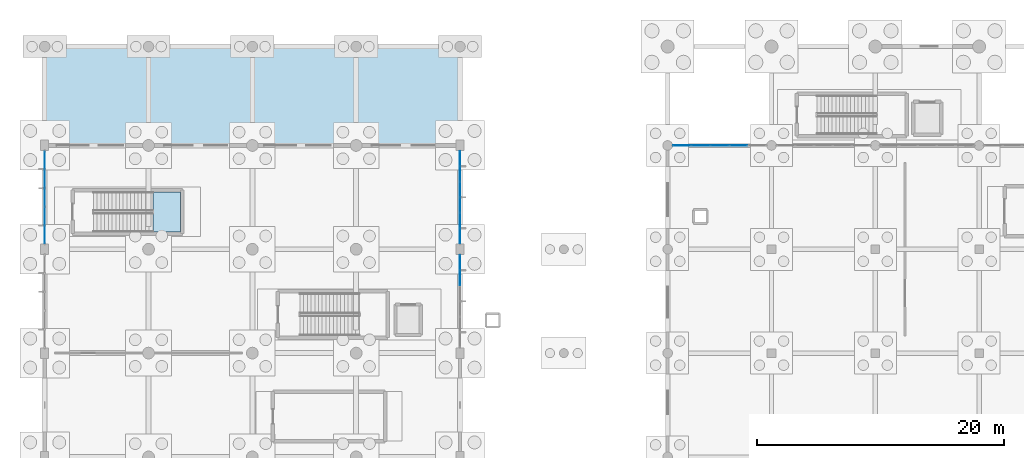
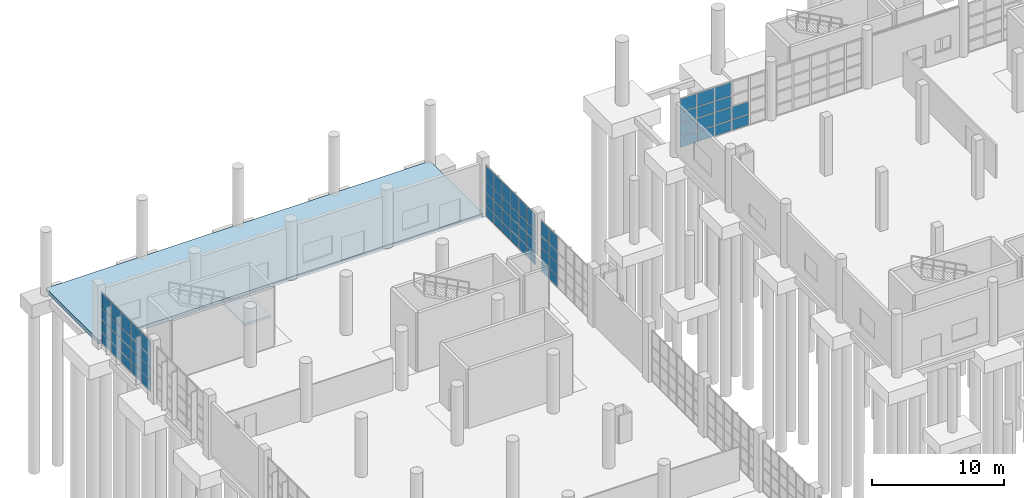
# One storey, part 43 of 83: 66 plates, 2 slabs, 5 elements without a shape of their own.
"""IFC4 building model written with IfcOpenShell, lengths in metres."""

from ifc_helpers import new_model, si_unit, direction, frame, origin, origin_2d, place, context, subcontext, project, spatial, polyline, rectangle, outline, extrude, material, layer, layer_set, type_object, element, aggregate, save


model = new_model("IFC4")

# Units and contexts
model_context = context("Model", 3, precision=1e-05, world=origin(), true_north=direction((0.0, 1.0)))
body_context = subcontext(model_context, "Body", "Model", "MODEL_VIEW")
ifc_project = project(units=[si_unit("LENGTHUNIT", "METRE"), si_unit("AREAUNIT", "SQUARE_METRE"), si_unit("VOLUMEUNIT", "CUBIC_METRE"), si_unit("PLANEANGLEUNIT", "RADIAN"), si_unit("MASSUNIT", "GRAM", prefix="KILO"), si_unit("THERMODYNAMICTEMPERATUREUNIT", "KELVIN"), si_unit("POWERUNIT", "WATT")], contexts=[model_context])

# Site, building, storey
site_placement = place(None, origin())
site = spatial("IfcSite", under=ifc_project, at=site_placement, CompositionType="ELEMENT")
building_placement = place(site_placement, origin())
building = spatial("IfcBuilding", under=site, at=building_placement, Name="Mavoryth Pier Ferry Terminal", CompositionType="ELEMENT")
storey_placement = place(building_placement, origin())
storey = spatial("IfcBuildingStorey", under=building, at=storey_placement, Name="L00", CompositionType="ELEMENT", Elevation=0.0)

# Curtain wall, plates
ifc_material_1 = material(Name="Anodised Aluminium and Solar-Control Low-E Glass", Category="aluminium")
ifc_layer_1 = layer(ifc_material_1, 0.199951171875, Name="Anodised Aluminium and Solar-Control Low-E Glass", Category="aluminium")
ifc_layer_set_1 = layer_set([ifc_layer_1], Name="Anodised Aluminium and Solar-Control Low-E Glass - CW-Concourse-Mod1200")
curtain_wall_type_1 = type_object("IfcCurtainWallType", Name="CW-Concourse-Mod1200", PredefinedType="USERDEFINED", material=ifc_layer_set_1)
curtain_wall_1_placement = place(storey_placement, origin())
curtain_wall_1 = element("IfcCurtainWall", 1, at=curtain_wall_1_placement, inside=storey, type_object=curtain_wall_type_1, Name="Curtain Wall CW-0022-026", ObjectType="UNITISED CURTAIN WALL", PredefinedType="USERDEFINED")
ifc_material_2 = material(Name="Solar-Control Low-E Laminated Double Glazing", Category="glass")
ifc_layer_2 = layer(ifc_material_2, 0.02392578125, Name="Solar-Control Low-E Laminated Double Glazing", Category="glass")
ifc_layer_set_2 = layer_set([ifc_layer_2], Name="Solar-Control Low-E Laminated Double Glazing - Panel-LowE-DGU-24")
plate_type = type_object("IfcPlateType", Name="Panel-LowE-DGU-24", PredefinedType="CURTAIN_PANEL", material=ifc_layer_set_2)
plate_1_placement = place(storey_placement, frame((33.60009765625, 95.28759765625, 0.06005859375), z_axis=(0.0, 0.0, 1.0), x_axis=(0.0, 1.0, 0.0)))
plate_1 = element("IfcPlate", 2, at=plate_1_placement, type_object=plate_type, Name="CW02 panel 5.1", PredefinedType="CURTAIN_PANEL", context=body_context, shape_type="SweptSolid", body=[
    extrude(rectangle(XDim=1.1982421875, YDim=0.02392578125, at=origin_2d()), origin(), (0.0, 0.0, 1.0), 0.9599609375),
])
plate_2_placement = place(storey_placement, frame((33.60009765625, 95.28759765625, 1.080078125), z_axis=(0.0, 0.0, 1.0), x_axis=(0.0, 1.0, 0.0)))
plate_2 = element("IfcPlate", 3, at=plate_2_placement, type_object=plate_type, Name="CW02 panel 5.2", PredefinedType="CURTAIN_PANEL", context=body_context, shape_type="SweptSolid", body=[
    extrude(rectangle(XDim=1.1982421875, YDim=0.02392578125, at=origin_2d()), origin(), (0.0, 0.0, 1.0), 1.139892578125),
])
plate_3_placement = place(storey_placement, frame((33.60009765625, 95.28759765625, 2.27978515625), z_axis=(0.0, 0.0, 1.0), x_axis=(0.0, 1.0, 0.0)))
plate_3 = element("IfcPlate", 4, at=plate_3_placement, type_object=plate_type, Name="CW02 panel 5.3", PredefinedType="CURTAIN_PANEL", context=body_context, shape_type="SweptSolid", body=[
    extrude(rectangle(XDim=1.1982421875, YDim=0.02392578125, at=origin_2d()), origin(), (0.0, 0.0, 1.0), 0.989990234375),
])
plate_4_placement = place(storey_placement, frame((33.60009765625, 95.28759765625, 3.330078125), z_axis=(0.0, 0.0, 1.0), x_axis=(0.0, 1.0, 0.0)))
plate_4 = element("IfcPlate", 5, at=plate_4_placement, type_object=plate_type, Name="CW02 panel 5.4", PredefinedType="CURTAIN_PANEL", context=body_context, shape_type="SweptSolid", body=[
    extrude(rectangle(XDim=1.1982421875, YDim=0.02392578125, at=origin_2d()), origin(), (0.0, 0.0, 1.0), 1.405029296875),
])
plate_5_placement = place(storey_placement, frame((33.60009765625, 96.53076171875, 0.06005859375), z_axis=(0.0, 0.0, 1.0), x_axis=(0.0, 1.0, 0.0)))
plate_5 = element("IfcPlate", 6, at=plate_5_placement, type_object=plate_type, Name="CW02 panel 6.1", PredefinedType="CURTAIN_PANEL", context=body_context, shape_type="SweptSolid", body=[
    extrude(rectangle(XDim=1.168212890625, YDim=0.02392578125, at=origin_2d()), origin(), (0.0, 0.0, 1.0), 0.9599609375),
])
plate_6_placement = place(storey_placement, frame((33.60009765625, 96.53076171875, 1.080078125), z_axis=(0.0, 0.0, 1.0), x_axis=(0.0, 1.0, 0.0)))
plate_6 = element("IfcPlate", 7, at=plate_6_placement, type_object=plate_type, Name="CW02 panel 6.2", PredefinedType="CURTAIN_PANEL", context=body_context, shape_type="SweptSolid", body=[
    extrude(rectangle(XDim=1.168212890625, YDim=0.02392578125, at=origin_2d()), origin(), (0.0, 0.0, 1.0), 1.139892578125),
])
plate_7_placement = place(storey_placement, frame((33.60009765625, 96.53076171875, 2.27978515625), z_axis=(0.0, 0.0, 1.0), x_axis=(0.0, 1.0, 0.0)))
plate_7 = element("IfcPlate", 8, at=plate_7_placement, type_object=plate_type, Name="CW02 panel 6.3", PredefinedType="CURTAIN_PANEL", context=body_context, shape_type="SweptSolid", body=[
    extrude(rectangle(XDim=1.168212890625, YDim=0.02392578125, at=origin_2d()), origin(), (0.0, 0.0, 1.0), 0.989990234375),
])
plate_8_placement = place(storey_placement, frame((33.60009765625, 96.53076171875, 3.330078125), z_axis=(0.0, 0.0, 1.0), x_axis=(0.0, 1.0, 0.0)))
plate_8 = element("IfcPlate", 9, at=plate_8_placement, type_object=plate_type, Name="CW02 panel 6.4", PredefinedType="CURTAIN_PANEL", context=body_context, shape_type="SweptSolid", body=[
    extrude(rectangle(XDim=1.168212890625, YDim=0.02392578125, at=origin_2d()), origin(), (0.0, 0.0, 1.0), 1.405029296875),
])
aggregate(curtain_wall_1, [plate_1, plate_2, plate_3, plate_4, plate_5, plate_6, plate_7, plate_8])

ifc_layer_3 = layer(ifc_material_1, 0.179931640625, Name="Anodised Aluminium and Solar-Control Low-E Glass", Category="aluminium")
ifc_layer_set_3 = layer_set([ifc_layer_3], Name="Anodised Aluminium and Solar-Control Low-E Glass - CW-Concourse-Mod1400")
curtain_wall_type_2 = type_object("IfcCurtainWallType", Name="CW-Concourse-Mod1400", PredefinedType="USERDEFINED", material=ifc_layer_set_3)
curtain_wall_2_placement = place(storey_placement, origin())
curtain_wall_2 = element("IfcCurtainWall", 10, at=curtain_wall_2_placement, inside=storey, type_object=curtain_wall_type_2, Name="Curtain Wall CW-0033-030", ObjectType="UNITISED CURTAIN WALL", PredefinedType="USERDEFINED")
plate_9_placement = place(storey_placement, frame((0.0, 104.8037109375, 0.06494140625), z_axis=(0.0, 0.0, 1.0), x_axis=(0.0, -1.0, 0.0)))
plate_9 = element("IfcPlate", 11, at=plate_9_placement, type_object=plate_type, Name="CW01 panel 1.1", PredefinedType="CURTAIN_PANEL", context=body_context, shape_type="SweptSolid", body=[
    extrude(rectangle(XDim=1.41259765625, YDim=0.02392578125, at=origin_2d()), origin(), (0.0, 0.0, 1.0), 0.952392578125),
])
plate_10_placement = place(storey_placement, frame((0.0, 104.8037109375, 1.08251953125), z_axis=(0.0, 0.0, 1.0), x_axis=(0.0, -1.0, 0.0)))
plate_10 = element("IfcPlate", 12, at=plate_10_placement, type_object=plate_type, Name="CW01 panel 1.2", PredefinedType="CURTAIN_PANEL", context=body_context, shape_type="SweptSolid", body=[
    extrude(rectangle(XDim=1.41259765625, YDim=0.02392578125, at=origin_2d()), origin(), (0.0, 0.0, 1.0), 1.135009765625),
])
plate_11_placement = place(storey_placement, frame((0.0, 104.8037109375, 2.2822265625), z_axis=(0.0, 0.0, 1.0), x_axis=(0.0, -1.0, 0.0)))
plate_11 = element("IfcPlate", 13, at=plate_11_placement, type_object=plate_type, Name="CW01 panel 1.3", PredefinedType="CURTAIN_PANEL", context=body_context, shape_type="SweptSolid", body=[
    extrude(rectangle(XDim=1.41259765625, YDim=0.02392578125, at=origin_2d()), origin(), (0.0, 0.0, 1.0), 0.985107421875),
])
plate_12_placement = place(storey_placement, frame((0.0, 104.8037109375, 3.33251953125), z_axis=(0.0, 0.0, 1.0), x_axis=(0.0, -1.0, 0.0)))
plate_12 = element("IfcPlate", 14, at=plate_12_placement, type_object=plate_type, Name="CW01 panel 1.4", PredefinedType="CURTAIN_PANEL", context=body_context, shape_type="SweptSolid", body=[
    extrude(rectangle(XDim=1.41259765625, YDim=0.02392578125, at=origin_2d()), origin(), (0.0, 0.0, 1.0), 1.3974609375),
])
plate_13_placement = place(storey_placement, frame((0.0, 103.31005859375, 0.06494140625), z_axis=(0.0, 0.0, 1.0), x_axis=(0.0, -1.0, 0.0)))
plate_13 = element("IfcPlate", 15, at=plate_13_placement, type_object=plate_type, Name="CW01 panel 2.1", PredefinedType="CURTAIN_PANEL", context=body_context, shape_type="SweptSolid", body=[
    extrude(rectangle(XDim=1.445068359375, YDim=0.02392578125, at=origin_2d()), origin(), (0.0, 0.0, 1.0), 0.952392578125),
])
plate_14_placement = place(storey_placement, frame((0.0, 103.31005859375, 1.08251953125), z_axis=(0.0, 0.0, 1.0), x_axis=(0.0, -1.0, 0.0)))
plate_14 = element("IfcPlate", 16, at=plate_14_placement, type_object=plate_type, Name="CW01 panel 2.2", PredefinedType="CURTAIN_PANEL", context=body_context, shape_type="SweptSolid", body=[
    extrude(rectangle(XDim=1.445068359375, YDim=0.02392578125, at=origin_2d()), origin(), (0.0, 0.0, 1.0), 1.135009765625),
])
plate_15_placement = place(storey_placement, frame((0.0, 103.31005859375, 2.2822265625), z_axis=(0.0, 0.0, 1.0), x_axis=(0.0, -1.0, 0.0)))
plate_15 = element("IfcPlate", 17, at=plate_15_placement, type_object=plate_type, Name="CW01 panel 2.3", PredefinedType="CURTAIN_PANEL", context=body_context, shape_type="SweptSolid", body=[
    extrude(rectangle(XDim=1.445068359375, YDim=0.02392578125, at=origin_2d()), origin(), (0.0, 0.0, 1.0), 0.985107421875),
])
plate_16_placement = place(storey_placement, frame((0.0, 103.31005859375, 3.33251953125), z_axis=(0.0, 0.0, 1.0), x_axis=(0.0, -1.0, 0.0)))
plate_16 = element("IfcPlate", 18, at=plate_16_placement, type_object=plate_type, Name="CW01 panel 2.4", PredefinedType="CURTAIN_PANEL", context=body_context, shape_type="SweptSolid", body=[
    extrude(rectangle(XDim=1.445068359375, YDim=0.02392578125, at=origin_2d()), origin(), (0.0, 0.0, 1.0), 1.3974609375),
])
plate_17_placement = place(storey_placement, frame((0.0, 101.800048828125, 0.06494140625), z_axis=(0.0, 0.0, 1.0), x_axis=(0.0, -1.0, 0.0)))
plate_17 = element("IfcPlate", 19, at=plate_17_placement, type_object=plate_type, Name="CW01 panel 3.1", PredefinedType="CURTAIN_PANEL", context=body_context, shape_type="SweptSolid", body=[
    extrude(rectangle(XDim=1.445068359375, YDim=0.02392578125, at=origin_2d()), origin(), (0.0, 0.0, 1.0), 0.952392578125),
])
plate_18_placement = place(storey_placement, frame((0.0, 101.800048828125, 1.08251953125), z_axis=(0.0, 0.0, 1.0), x_axis=(0.0, -1.0, 0.0)))
plate_18 = element("IfcPlate", 20, at=plate_18_placement, type_object=plate_type, Name="CW01 panel 3.2", PredefinedType="CURTAIN_PANEL", context=body_context, shape_type="SweptSolid", body=[
    extrude(rectangle(XDim=1.445068359375, YDim=0.02392578125, at=origin_2d()), origin(), (0.0, 0.0, 1.0), 1.135009765625),
])
plate_19_placement = place(storey_placement, frame((0.0, 101.800048828125, 2.2822265625), z_axis=(0.0, 0.0, 1.0), x_axis=(0.0, -1.0, 0.0)))
plate_19 = element("IfcPlate", 21, at=plate_19_placement, type_object=plate_type, Name="CW01 panel 3.3", PredefinedType="CURTAIN_PANEL", context=body_context, shape_type="SweptSolid", body=[
    extrude(rectangle(XDim=1.445068359375, YDim=0.02392578125, at=origin_2d()), origin(), (0.0, 0.0, 1.0), 0.985107421875),
])
plate_20_placement = place(storey_placement, frame((0.0, 101.800048828125, 3.33251953125), z_axis=(0.0, 0.0, 1.0), x_axis=(0.0, -1.0, 0.0)))
plate_20 = element("IfcPlate", 22, at=plate_20_placement, type_object=plate_type, Name="CW01 panel 3.4", PredefinedType="CURTAIN_PANEL", context=body_context, shape_type="SweptSolid", body=[
    extrude(rectangle(XDim=1.445068359375, YDim=0.02392578125, at=origin_2d()), origin(), (0.0, 0.0, 1.0), 1.3974609375),
])
plate_21_placement = place(storey_placement, frame((0.0, 100.2900390625, 0.06494140625), z_axis=(0.0, 0.0, 1.0), x_axis=(0.0, -1.0, 0.0)))
plate_21 = element("IfcPlate", 23, at=plate_21_placement, type_object=plate_type, Name="CW01 panel 4.1", PredefinedType="CURTAIN_PANEL", context=body_context, shape_type="SweptSolid", body=[
    extrude(rectangle(XDim=1.445068359375, YDim=0.02392578125, at=origin_2d()), origin(), (0.0, 0.0, 1.0), 0.952392578125),
])
plate_22_placement = place(storey_placement, frame((0.0, 100.2900390625, 1.08251953125), z_axis=(0.0, 0.0, 1.0), x_axis=(0.0, -1.0, 0.0)))
plate_22 = element("IfcPlate", 24, at=plate_22_placement, type_object=plate_type, Name="CW01 panel 4.2", PredefinedType="CURTAIN_PANEL", context=body_context, shape_type="SweptSolid", body=[
    extrude(rectangle(XDim=1.445068359375, YDim=0.02392578125, at=origin_2d()), origin(), (0.0, 0.0, 1.0), 1.135009765625),
])
plate_23_placement = place(storey_placement, frame((0.0, 100.2900390625, 2.2822265625), z_axis=(0.0, 0.0, 1.0), x_axis=(0.0, -1.0, 0.0)))
plate_23 = element("IfcPlate", 25, at=plate_23_placement, type_object=plate_type, Name="CW01 panel 4.3", PredefinedType="CURTAIN_PANEL", context=body_context, shape_type="SweptSolid", body=[
    extrude(rectangle(XDim=1.445068359375, YDim=0.02392578125, at=origin_2d()), origin(), (0.0, 0.0, 1.0), 0.985107421875),
])
plate_24_placement = place(storey_placement, frame((0.0, 100.2900390625, 3.33251953125), z_axis=(0.0, 0.0, 1.0), x_axis=(0.0, -1.0, 0.0)))
plate_24 = element("IfcPlate", 26, at=plate_24_placement, type_object=plate_type, Name="CW01 panel 4.4", PredefinedType="CURTAIN_PANEL", context=body_context, shape_type="SweptSolid", body=[
    extrude(rectangle(XDim=1.445068359375, YDim=0.02392578125, at=origin_2d()), origin(), (0.0, 0.0, 1.0), 1.3974609375),
])
plate_25_placement = place(storey_placement, frame((0.0, 98.796142578125, 0.06494140625), z_axis=(0.0, 0.0, 1.0), x_axis=(0.0, -1.0, 0.0)))
plate_25 = element("IfcPlate", 27, at=plate_25_placement, type_object=plate_type, Name="CW01 panel 5.1", PredefinedType="CURTAIN_PANEL", context=body_context, shape_type="SweptSolid", body=[
    extrude(rectangle(XDim=1.41259765625, YDim=0.02392578125, at=origin_2d()), origin(), (0.0, 0.0, 1.0), 0.952392578125),
])
plate_26_placement = place(storey_placement, frame((0.0, 98.796142578125, 1.08251953125), z_axis=(0.0, 0.0, 1.0), x_axis=(0.0, -1.0, 0.0)))
plate_26 = element("IfcPlate", 28, at=plate_26_placement, type_object=plate_type, Name="CW01 panel 5.2", PredefinedType="CURTAIN_PANEL", context=body_context, shape_type="SweptSolid", body=[
    extrude(rectangle(XDim=1.41259765625, YDim=0.02392578125, at=origin_2d()), origin(), (0.0, 0.0, 1.0), 1.135009765625),
])
plate_27_placement = place(storey_placement, frame((0.0, 98.796142578125, 2.2822265625), z_axis=(0.0, 0.0, 1.0), x_axis=(0.0, -1.0, 0.0)))
plate_27 = element("IfcPlate", 29, at=plate_27_placement, type_object=plate_type, Name="CW01 panel 5.3", PredefinedType="CURTAIN_PANEL", context=body_context, shape_type="SweptSolid", body=[
    extrude(rectangle(XDim=1.41259765625, YDim=0.02392578125, at=origin_2d()), origin(), (0.0, 0.0, 1.0), 0.985107421875),
])
plate_28_placement = place(storey_placement, frame((0.0, 98.796142578125, 3.33251953125), z_axis=(0.0, 0.0, 1.0), x_axis=(0.0, -1.0, 0.0)))
plate_28 = element("IfcPlate", 30, at=plate_28_placement, type_object=plate_type, Name="CW01 panel 5.4", PredefinedType="CURTAIN_PANEL", context=body_context, shape_type="SweptSolid", body=[
    extrude(rectangle(XDim=1.41259765625, YDim=0.02392578125, at=origin_2d()), origin(), (0.0, 0.0, 1.0), 1.3974609375),
])
aggregate(curtain_wall_2, [plate_9, plate_10, plate_11, plate_12, plate_13, plate_14, plate_15, plate_16, plate_17, plate_18, plate_19, plate_20, plate_21, plate_22, plate_23, plate_24, plate_25, plate_26, plate_27, plate_28])

curtain_wall_3_placement = place(storey_placement, origin())
curtain_wall_3 = element("IfcCurtainWall", 31, at=curtain_wall_3_placement, inside=storey, type_object=curtain_wall_type_1, Name="Curtain Wall CW-0022-031", ObjectType="UNITISED CURTAIN WALL", PredefinedType="USERDEFINED")
plate_29_placement = place(storey_placement, frame((33.60009765625, 98.669189453125, 0.06005859375), z_axis=(0.0, 0.0, 1.0), x_axis=(0.0, 1.0, 0.0)))
plate_29 = element("IfcPlate", 32, at=plate_29_placement, type_object=plate_type, Name="CW02 panel 1.1", PredefinedType="CURTAIN_PANEL", context=body_context, shape_type="SweptSolid", body=[
    extrude(rectangle(XDim=1.168212890625, YDim=0.02392578125, at=origin_2d()), origin(), (0.0, 0.0, 1.0), 0.9599609375),
])
plate_30_placement = place(storey_placement, frame((33.60009765625, 98.669189453125, 1.080078125), z_axis=(0.0, 0.0, 1.0), x_axis=(0.0, 1.0, 0.0)))
plate_30 = element("IfcPlate", 33, at=plate_30_placement, type_object=plate_type, Name="CW02 panel 1.2", PredefinedType="CURTAIN_PANEL", context=body_context, shape_type="SweptSolid", body=[
    extrude(rectangle(XDim=1.168212890625, YDim=0.02392578125, at=origin_2d()), origin(), (0.0, 0.0, 1.0), 1.139892578125),
])
plate_31_placement = place(storey_placement, frame((33.60009765625, 98.669189453125, 2.27978515625), z_axis=(0.0, 0.0, 1.0), x_axis=(0.0, 1.0, 0.0)))
plate_31 = element("IfcPlate", 34, at=plate_31_placement, type_object=plate_type, Name="CW02 panel 1.3", PredefinedType="CURTAIN_PANEL", context=body_context, shape_type="SweptSolid", body=[
    extrude(rectangle(XDim=1.168212890625, YDim=0.02392578125, at=origin_2d()), origin(), (0.0, 0.0, 1.0), 0.989990234375),
])
plate_32_placement = place(storey_placement, frame((33.60009765625, 98.669189453125, 3.330078125), z_axis=(0.0, 0.0, 1.0), x_axis=(0.0, 1.0, 0.0)))
plate_32 = element("IfcPlate", 35, at=plate_32_placement, type_object=plate_type, Name="CW02 panel 1.4", PredefinedType="CURTAIN_PANEL", context=body_context, shape_type="SweptSolid", body=[
    extrude(rectangle(XDim=1.168212890625, YDim=0.02392578125, at=origin_2d()), origin(), (0.0, 0.0, 1.0), 1.405029296875),
])
plate_33_placement = place(storey_placement, frame((33.60009765625, 99.91259765625, 0.06005859375), z_axis=(0.0, 0.0, 1.0), x_axis=(0.0, 1.0, 0.0)))
plate_33 = element("IfcPlate", 36, at=plate_33_placement, type_object=plate_type, Name="CW02 panel 2.1", PredefinedType="CURTAIN_PANEL", context=body_context, shape_type="SweptSolid", body=[
    extrude(rectangle(XDim=1.1982421875, YDim=0.02392578125, at=origin_2d()), origin(), (0.0, 0.0, 1.0), 0.9599609375),
])
plate_34_placement = place(storey_placement, frame((33.60009765625, 99.91259765625, 1.080078125), z_axis=(0.0, 0.0, 1.0), x_axis=(0.0, 1.0, 0.0)))
plate_34 = element("IfcPlate", 37, at=plate_34_placement, type_object=plate_type, Name="CW02 panel 2.2", PredefinedType="CURTAIN_PANEL", context=body_context, shape_type="SweptSolid", body=[
    extrude(rectangle(XDim=1.1982421875, YDim=0.02392578125, at=origin_2d()), origin(), (0.0, 0.0, 1.0), 1.139892578125),
])
plate_35_placement = place(storey_placement, frame((33.60009765625, 99.91259765625, 2.27978515625), z_axis=(0.0, 0.0, 1.0), x_axis=(0.0, 1.0, 0.0)))
plate_35 = element("IfcPlate", 38, at=plate_35_placement, type_object=plate_type, Name="CW02 panel 2.3", PredefinedType="CURTAIN_PANEL", context=body_context, shape_type="SweptSolid", body=[
    extrude(rectangle(XDim=1.1982421875, YDim=0.02392578125, at=origin_2d()), origin(), (0.0, 0.0, 1.0), 0.989990234375),
])
plate_36_placement = place(storey_placement, frame((33.60009765625, 99.91259765625, 3.330078125), z_axis=(0.0, 0.0, 1.0), x_axis=(0.0, 1.0, 0.0)))
plate_36 = element("IfcPlate", 39, at=plate_36_placement, type_object=plate_type, Name="CW02 panel 2.4", PredefinedType="CURTAIN_PANEL", context=body_context, shape_type="SweptSolid", body=[
    extrude(rectangle(XDim=1.1982421875, YDim=0.02392578125, at=origin_2d()), origin(), (0.0, 0.0, 1.0), 1.405029296875),
])
plate_37_placement = place(storey_placement, frame((33.60009765625, 101.1708984375, 0.06005859375), z_axis=(0.0, 0.0, 1.0), x_axis=(0.0, 1.0, 0.0)))
plate_37 = element("IfcPlate", 40, at=plate_37_placement, type_object=plate_type, Name="CW02 panel 3.1", PredefinedType="CURTAIN_PANEL", context=body_context, shape_type="SweptSolid", body=[
    extrude(rectangle(XDim=1.1982421875, YDim=0.02392578125, at=origin_2d()), origin(), (0.0, 0.0, 1.0), 0.9599609375),
])
plate_38_placement = place(storey_placement, frame((33.60009765625, 101.1708984375, 1.080078125), z_axis=(0.0, 0.0, 1.0), x_axis=(0.0, 1.0, 0.0)))
plate_38 = element("IfcPlate", 41, at=plate_38_placement, type_object=plate_type, Name="CW02 panel 3.2", PredefinedType="CURTAIN_PANEL", context=body_context, shape_type="SweptSolid", body=[
    extrude(rectangle(XDim=1.1982421875, YDim=0.02392578125, at=origin_2d()), origin(), (0.0, 0.0, 1.0), 1.139892578125),
])
plate_39_placement = place(storey_placement, frame((33.60009765625, 101.1708984375, 2.27978515625), z_axis=(0.0, 0.0, 1.0), x_axis=(0.0, 1.0, 0.0)))
plate_39 = element("IfcPlate", 42, at=plate_39_placement, type_object=plate_type, Name="CW02 panel 3.3", PredefinedType="CURTAIN_PANEL", context=body_context, shape_type="SweptSolid", body=[
    extrude(rectangle(XDim=1.1982421875, YDim=0.02392578125, at=origin_2d()), origin(), (0.0, 0.0, 1.0), 0.989990234375),
])
plate_40_placement = place(storey_placement, frame((33.60009765625, 101.1708984375, 3.330078125), z_axis=(0.0, 0.0, 1.0), x_axis=(0.0, 1.0, 0.0)))
plate_40 = element("IfcPlate", 43, at=plate_40_placement, type_object=plate_type, Name="CW02 panel 3.4", PredefinedType="CURTAIN_PANEL", context=body_context, shape_type="SweptSolid", body=[
    extrude(rectangle(XDim=1.1982421875, YDim=0.02392578125, at=origin_2d()), origin(), (0.0, 0.0, 1.0), 1.405029296875),
])
plate_41_placement = place(storey_placement, frame((33.60009765625, 102.42919921875, 0.06005859375), z_axis=(0.0, 0.0, 1.0), x_axis=(0.0, 1.0, 0.0)))
plate_41 = element("IfcPlate", 44, at=plate_41_placement, type_object=plate_type, Name="CW02 panel 4.1", PredefinedType="CURTAIN_PANEL", context=body_context, shape_type="SweptSolid", body=[
    extrude(rectangle(XDim=1.1982421875, YDim=0.02392578125, at=origin_2d()), origin(), (0.0, 0.0, 1.0), 0.9599609375),
])
plate_42_placement = place(storey_placement, frame((33.60009765625, 102.42919921875, 1.080078125), z_axis=(0.0, 0.0, 1.0), x_axis=(0.0, 1.0, 0.0)))
plate_42 = element("IfcPlate", 45, at=plate_42_placement, type_object=plate_type, Name="CW02 panel 4.2", PredefinedType="CURTAIN_PANEL", context=body_context, shape_type="SweptSolid", body=[
    extrude(rectangle(XDim=1.1982421875, YDim=0.02392578125, at=origin_2d()), origin(), (0.0, 0.0, 1.0), 1.139892578125),
])
plate_43_placement = place(storey_placement, frame((33.60009765625, 102.42919921875, 2.27978515625), z_axis=(0.0, 0.0, 1.0), x_axis=(0.0, 1.0, 0.0)))
plate_43 = element("IfcPlate", 46, at=plate_43_placement, type_object=plate_type, Name="CW02 panel 4.3", PredefinedType="CURTAIN_PANEL", context=body_context, shape_type="SweptSolid", body=[
    extrude(rectangle(XDim=1.1982421875, YDim=0.02392578125, at=origin_2d()), origin(), (0.0, 0.0, 1.0), 0.989990234375),
])
plate_44_placement = place(storey_placement, frame((33.60009765625, 102.42919921875, 3.330078125), z_axis=(0.0, 0.0, 1.0), x_axis=(0.0, 1.0, 0.0)))
plate_44 = element("IfcPlate", 47, at=plate_44_placement, type_object=plate_type, Name="CW02 panel 4.4", PredefinedType="CURTAIN_PANEL", context=body_context, shape_type="SweptSolid", body=[
    extrude(rectangle(XDim=1.1982421875, YDim=0.02392578125, at=origin_2d()), origin(), (0.0, 0.0, 1.0), 1.405029296875),
])
plate_45_placement = place(storey_placement, frame((33.60009765625, 103.6875, 0.06005859375), z_axis=(0.0, 0.0, 1.0), x_axis=(0.0, 1.0, 0.0)))
plate_45 = element("IfcPlate", 48, at=plate_45_placement, type_object=plate_type, Name="CW02 panel 5.1", PredefinedType="CURTAIN_PANEL", context=body_context, shape_type="SweptSolid", body=[
    extrude(rectangle(XDim=1.1982421875, YDim=0.02392578125, at=origin_2d()), origin(), (0.0, 0.0, 1.0), 0.9599609375),
])
plate_46_placement = place(storey_placement, frame((33.60009765625, 103.6875, 1.080078125), z_axis=(0.0, 0.0, 1.0), x_axis=(0.0, 1.0, 0.0)))
plate_46 = element("IfcPlate", 49, at=plate_46_placement, type_object=plate_type, Name="CW02 panel 5.2", PredefinedType="CURTAIN_PANEL", context=body_context, shape_type="SweptSolid", body=[
    extrude(rectangle(XDim=1.1982421875, YDim=0.02392578125, at=origin_2d()), origin(), (0.0, 0.0, 1.0), 1.139892578125),
])
plate_47_placement = place(storey_placement, frame((33.60009765625, 103.6875, 2.27978515625), z_axis=(0.0, 0.0, 1.0), x_axis=(0.0, 1.0, 0.0)))
plate_47 = element("IfcPlate", 50, at=plate_47_placement, type_object=plate_type, Name="CW02 panel 5.3", PredefinedType="CURTAIN_PANEL", context=body_context, shape_type="SweptSolid", body=[
    extrude(rectangle(XDim=1.1982421875, YDim=0.02392578125, at=origin_2d()), origin(), (0.0, 0.0, 1.0), 0.989990234375),
])
plate_48_placement = place(storey_placement, frame((33.60009765625, 103.6875, 3.330078125), z_axis=(0.0, 0.0, 1.0), x_axis=(0.0, 1.0, 0.0)))
plate_48 = element("IfcPlate", 51, at=plate_48_placement, type_object=plate_type, Name="CW02 panel 5.4", PredefinedType="CURTAIN_PANEL", context=body_context, shape_type="SweptSolid", body=[
    extrude(rectangle(XDim=1.1982421875, YDim=0.02392578125, at=origin_2d()), origin(), (0.0, 0.0, 1.0), 1.405029296875),
])
plate_49_placement = place(storey_placement, frame((33.60009765625, 104.930908203125, 0.06005859375), z_axis=(0.0, 0.0, 1.0), x_axis=(0.0, 1.0, 0.0)))
plate_49 = element("IfcPlate", 52, at=plate_49_placement, type_object=plate_type, Name="CW02 panel 6.1", PredefinedType="CURTAIN_PANEL", context=body_context, shape_type="SweptSolid", body=[
    extrude(rectangle(XDim=1.168212890625, YDim=0.02392578125, at=origin_2d()), origin(), (0.0, 0.0, 1.0), 0.9599609375),
])
plate_50_placement = place(storey_placement, frame((33.60009765625, 104.930908203125, 1.080078125), z_axis=(0.0, 0.0, 1.0), x_axis=(0.0, 1.0, 0.0)))
plate_50 = element("IfcPlate", 53, at=plate_50_placement, type_object=plate_type, Name="CW02 panel 6.2", PredefinedType="CURTAIN_PANEL", context=body_context, shape_type="SweptSolid", body=[
    extrude(rectangle(XDim=1.168212890625, YDim=0.02392578125, at=origin_2d()), origin(), (0.0, 0.0, 1.0), 1.139892578125),
])
plate_51_placement = place(storey_placement, frame((33.60009765625, 104.930908203125, 2.27978515625), z_axis=(0.0, 0.0, 1.0), x_axis=(0.0, 1.0, 0.0)))
plate_51 = element("IfcPlate", 54, at=plate_51_placement, type_object=plate_type, Name="CW02 panel 6.3", PredefinedType="CURTAIN_PANEL", context=body_context, shape_type="SweptSolid", body=[
    extrude(rectangle(XDim=1.168212890625, YDim=0.02392578125, at=origin_2d()), origin(), (0.0, 0.0, 1.0), 0.989990234375),
])
plate_52_placement = place(storey_placement, frame((33.60009765625, 104.930908203125, 3.330078125), z_axis=(0.0, 0.0, 1.0), x_axis=(0.0, 1.0, 0.0)))
plate_52 = element("IfcPlate", 55, at=plate_52_placement, type_object=plate_type, Name="CW02 panel 6.4", PredefinedType="CURTAIN_PANEL", context=body_context, shape_type="SweptSolid", body=[
    extrude(rectangle(XDim=1.168212890625, YDim=0.02392578125, at=origin_2d()), origin(), (0.0, 0.0, 1.0), 1.405029296875),
])
aggregate(curtain_wall_3, [plate_29, plate_30, plate_31, plate_32, plate_33, plate_34, plate_35, plate_36, plate_37, plate_38, plate_39, plate_40, plate_41, plate_42, plate_43, plate_44, plate_45, plate_46, plate_47, plate_48, plate_49, plate_50, plate_51, plate_52])

ifc_layer_4 = layer(ifc_material_1, 0.159912109375, Name="Anodised Aluminium and Solar-Control Low-E Glass", Category="aluminium")
ifc_layer_set_4 = layer_set([ifc_layer_4], Name="Anodised Aluminium and Solar-Control Low-E Glass - CW-Arrivals-Mod1400")
curtain_wall_type_3 = type_object("IfcCurtainWallType", Name="CW-Arrivals-Mod1400", PredefinedType="USERDEFINED", material=ifc_layer_set_4)
curtain_wall_4_placement = place(storey_placement, origin())
curtain_wall_4 = element("IfcCurtainWall", 56, at=curtain_wall_4_placement, inside=storey, type_object=curtain_wall_type_3, Name="Curtain Wall CW-0033-051", ObjectType="UNITISED CURTAIN WALL", PredefinedType="USERDEFINED")
plate_53_placement = place(storey_placement, frame((56.1240234375, 106.0, 0.06494140625), z_axis=(0.0, 0.0, 1.0), x_axis=(-1.0, 0.0, 0.0)))
plate_53 = element("IfcPlate", 57, at=plate_53_placement, type_object=plate_type, Name="CW04 panel 2.1", PredefinedType="CURTAIN_PANEL", context=body_context, shape_type="SweptSolid", body=[
    extrude(rectangle(XDim=1.458984375, YDim=0.02392578125, at=origin_2d()), origin(), (0.0, 0.0, 1.0), 0.952392578125),
])
plate_54_placement = place(storey_placement, frame((56.1240234375, 106.0, 1.08251953125), z_axis=(0.0, 0.0, 1.0), x_axis=(-1.0, 0.0, 0.0)))
plate_54 = element("IfcPlate", 58, at=plate_54_placement, type_object=plate_type, Name="CW04 panel 2.2", PredefinedType="CURTAIN_PANEL", context=body_context, shape_type="SweptSolid", body=[
    extrude(rectangle(XDim=1.458984375, YDim=0.02392578125, at=origin_2d()), origin(), (0.0, 0.0, 1.0), 1.135009765625),
])
plate_55_placement = place(storey_placement, frame((54.60009765625, 106.0, 0.06494140625), z_axis=(0.0, 0.0, 1.0), x_axis=(-1.0, 0.0, 0.0)))
plate_55 = element("IfcPlate", 59, at=plate_55_placement, type_object=plate_type, Name="CW04 panel 3.1", PredefinedType="CURTAIN_PANEL", context=body_context, shape_type="SweptSolid", body=[
    extrude(rectangle(XDim=1.458984375, YDim=0.02392578125, at=origin_2d()), origin(), (0.0, 0.0, 1.0), 0.952392578125),
])
plate_56_placement = place(storey_placement, frame((54.60009765625, 106.0, 1.08251953125), z_axis=(0.0, 0.0, 1.0), x_axis=(-1.0, 0.0, 0.0)))
plate_56 = element("IfcPlate", 60, at=plate_56_placement, type_object=plate_type, Name="CW04 panel 3.2", PredefinedType="CURTAIN_PANEL", context=body_context, shape_type="SweptSolid", body=[
    extrude(rectangle(XDim=1.458984375, YDim=0.02392578125, at=origin_2d()), origin(), (0.0, 0.0, 1.0), 1.135009765625),
])
plate_57_placement = place(storey_placement, frame((54.60009765625, 106.0, 2.2822265625), z_axis=(0.0, 0.0, 1.0), x_axis=(-1.0, 0.0, 0.0)))
plate_57 = element("IfcPlate", 61, at=plate_57_placement, type_object=plate_type, Name="CW04 panel 3.3", PredefinedType="CURTAIN_PANEL", context=body_context, shape_type="SweptSolid", body=[
    extrude(rectangle(XDim=1.458984375, YDim=0.02392578125, at=origin_2d()), origin(), (0.0, 0.0, 1.0), 0.985107421875),
])
plate_58_placement = place(storey_placement, frame((54.60009765625, 106.0, 3.33251953125), z_axis=(0.0, 0.0, 1.0), x_axis=(-1.0, 0.0, 0.0)))
plate_58 = element("IfcPlate", 62, at=plate_58_placement, type_object=plate_type, Name="CW04 panel 3.4", PredefinedType="CURTAIN_PANEL", context=body_context, shape_type="SweptSolid", body=[
    extrude(rectangle(XDim=1.458984375, YDim=0.02392578125, at=origin_2d()), origin(), (0.0, 0.0, 1.0), 1.20751953125),
])
plate_59_placement = place(storey_placement, frame((53.075927734375, 106.0, 0.06494140625), z_axis=(0.0, 0.0, 1.0), x_axis=(-1.0, 0.0, 0.0)))
plate_59 = element("IfcPlate", 63, at=plate_59_placement, type_object=plate_type, Name="CW04 panel 4.1", PredefinedType="CURTAIN_PANEL", context=body_context, shape_type="SweptSolid", body=[
    extrude(rectangle(XDim=1.458984375, YDim=0.02392578125, at=origin_2d()), origin(), (0.0, 0.0, 1.0), 0.952392578125),
])
plate_60_placement = place(storey_placement, frame((53.075927734375, 106.0, 1.08251953125), z_axis=(0.0, 0.0, 1.0), x_axis=(-1.0, 0.0, 0.0)))
plate_60 = element("IfcPlate", 64, at=plate_60_placement, type_object=plate_type, Name="CW04 panel 4.2", PredefinedType="CURTAIN_PANEL", context=body_context, shape_type="SweptSolid", body=[
    extrude(rectangle(XDim=1.458984375, YDim=0.02392578125, at=origin_2d()), origin(), (0.0, 0.0, 1.0), 1.135009765625),
])
plate_61_placement = place(storey_placement, frame((53.075927734375, 106.0, 2.2822265625), z_axis=(0.0, 0.0, 1.0), x_axis=(-1.0, 0.0, 0.0)))
plate_61 = element("IfcPlate", 65, at=plate_61_placement, type_object=plate_type, Name="CW04 panel 4.3", PredefinedType="CURTAIN_PANEL", context=body_context, shape_type="SweptSolid", body=[
    extrude(rectangle(XDim=1.458984375, YDim=0.02392578125, at=origin_2d()), origin(), (0.0, 0.0, 1.0), 0.985107421875),
])
plate_62_placement = place(storey_placement, frame((53.075927734375, 106.0, 3.33251953125), z_axis=(0.0, 0.0, 1.0), x_axis=(-1.0, 0.0, 0.0)))
plate_62 = element("IfcPlate", 66, at=plate_62_placement, type_object=plate_type, Name="CW04 panel 4.4", PredefinedType="CURTAIN_PANEL", context=body_context, shape_type="SweptSolid", body=[
    extrude(rectangle(XDim=1.458984375, YDim=0.02392578125, at=origin_2d()), origin(), (0.0, 0.0, 1.0), 1.20751953125),
])
plate_63_placement = place(storey_placement, frame((51.568359375, 106.0, 0.06494140625), z_axis=(0.0, 0.0, 1.0), x_axis=(-1.0, 0.0, 0.0)))
plate_63 = element("IfcPlate", 67, at=plate_63_placement, type_object=plate_type, Name="CW04 panel 5.1", PredefinedType="CURTAIN_PANEL", context=body_context, shape_type="SweptSolid", body=[
    extrude(rectangle(XDim=1.426513671875, YDim=0.02392578125, at=origin_2d()), origin(), (0.0, 0.0, 1.0), 0.952392578125),
])
plate_64_placement = place(storey_placement, frame((51.568359375, 106.0, 1.08251953125), z_axis=(0.0, 0.0, 1.0), x_axis=(-1.0, 0.0, 0.0)))
plate_64 = element("IfcPlate", 68, at=plate_64_placement, type_object=plate_type, Name="CW04 panel 5.2", PredefinedType="CURTAIN_PANEL", context=body_context, shape_type="SweptSolid", body=[
    extrude(rectangle(XDim=1.426513671875, YDim=0.02392578125, at=origin_2d()), origin(), (0.0, 0.0, 1.0), 1.135009765625),
])
plate_65_placement = place(storey_placement, frame((51.568359375, 106.0, 2.2822265625), z_axis=(0.0, 0.0, 1.0), x_axis=(-1.0, 0.0, 0.0)))
plate_65 = element("IfcPlate", 69, at=plate_65_placement, type_object=plate_type, Name="CW04 panel 5.3", PredefinedType="CURTAIN_PANEL", context=body_context, shape_type="SweptSolid", body=[
    extrude(rectangle(XDim=1.426513671875, YDim=0.02392578125, at=origin_2d()), origin(), (0.0, 0.0, 1.0), 0.985107421875),
])
plate_66_placement = place(storey_placement, frame((51.568359375, 106.0, 3.33251953125), z_axis=(0.0, 0.0, 1.0), x_axis=(-1.0, 0.0, 0.0)))
plate_66 = element("IfcPlate", 70, at=plate_66_placement, type_object=plate_type, Name="CW04 panel 5.4", PredefinedType="CURTAIN_PANEL", context=body_context, shape_type="SweptSolid", body=[
    extrude(rectangle(XDim=1.426513671875, YDim=0.02392578125, at=origin_2d()), origin(), (0.0, 0.0, 1.0), 1.20751953125),
])
aggregate(curtain_wall_4, [plate_53, plate_54, plate_55, plate_56, plate_57, plate_58, plate_59, plate_60, plate_61, plate_62, plate_63, plate_64, plate_65, plate_66])

# Slab
ifc_material_3 = material(Name="Concrete C35/45", Category="concrete")
ifc_layer_5 = layer(ifc_material_3, 0.340087890625, Name="Concrete C35/45", Category="concrete")
ifc_layer_set_5 = layer_set([ifc_layer_5], Name="Concrete C35/45 - Slab-Base-QuayApron-340")
slab_type_1 = type_object("IfcSlabType", Name="Slab-Base-QuayApron-340", PredefinedType="BASESLAB", material=ifc_layer_set_5)
slab_1_placement = place(storey_placement, frame((0.0, 0.0, -0.340087890625)))
element("IfcSlab", 71, at=slab_1_placement, inside=storey, type_object=slab_type_1, Name="Slab SLB-V1Q-L00", PredefinedType="BASESLAB", context=body_context, shape_type="SweptSolid", body=[
    extrude(outline(polyline([(0.0, 106.0), (33.60009765625, 106.0), (33.60009765625, 114.0), (0.0, 114.0), (0.0, 106.0)])), origin(), (0.0, 0.0, 1.0), 0.340087890625),
])

# Stair, slab
stair_type = type_object("IfcStairType", Name="Stair-Core-W1550", PredefinedType="TWO_STRAIGHT_RUN_STAIR", material=ifc_material_3)
stair_placement = place(storey_placement, origin())
stair = element("IfcStair", 72, at=stair_placement, inside=storey, type_object=stair_type, Name="L00 Core C1C Stair", PredefinedType="TWO_STRAIGHT_RUN_STAIR")
ifc_layer_6 = layer(ifc_material_3, 0.199951171875, Name="Concrete C35/45", Category="concrete")
ifc_layer_set_6 = layer_set([ifc_layer_6], Name="Concrete C35/45 - Slab-Landing-RC-200")
slab_type_2 = type_object("IfcSlabType", Name="Slab-Landing-RC-200", PredefinedType="LANDING", material=ifc_layer_set_6)
slab_2_placement = place(storey_placement, frame((0.0, 0.0, 2.52001953125)))
slab_2 = element("IfcSlab", 73, at=slab_2_placement, type_object=slab_type_2, Name="ST03 landing 1", PredefinedType="LANDING", context=body_context, shape_type="SweptSolid", body=[
    extrude(outline(polyline([(8.75, 99.0), (11.0, 99.0), (11.0, 102.25), (8.75, 102.25), (8.75, 99.0)])), origin(), (0.0, 0.0, 1.0), 0.199951171875),
])
aggregate(stair, [slab_2])

save(model, "model.ifc")
